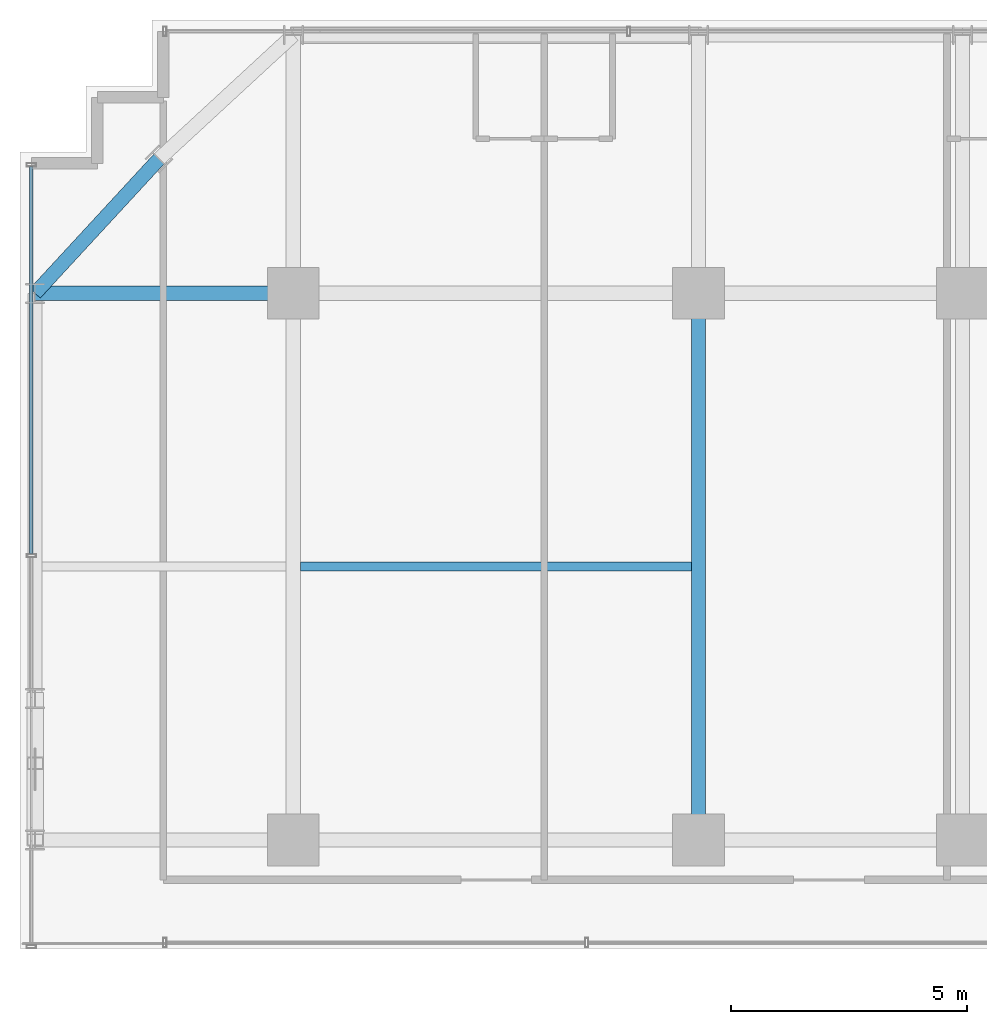
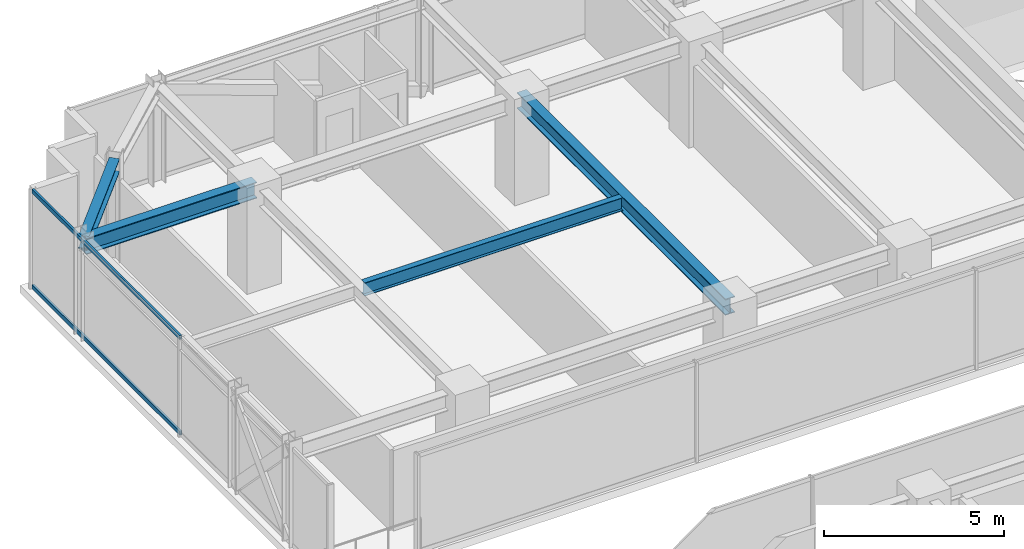
# One storey, part 20 of 38: 4 beams, 2 members, 1 element without a shape of its own.
"""IFC4 building model written with IfcOpenShell, lengths in metres."""

from ifc_helpers import new_model, si_unit, direction, frame, origin, origin_2d, place, context, subcontext, project, spatial, hollow_rectangle, i_section, extrude, source, transform, mapped, material, material_profile, profile_set, type_object, element, aggregate, save


model = new_model("IFC4")

# Units and contexts
model_context = context("Model", 3, precision=1e-05, world=origin(), true_north=direction((0.0, 1.0)))
body_context = subcontext(model_context, "Body", "Model", "MODEL_VIEW")
ifc_project = project(units=[si_unit("LENGTHUNIT", "METRE"), si_unit("AREAUNIT", "SQUARE_METRE"), si_unit("VOLUMEUNIT", "CUBIC_METRE"), si_unit("PLANEANGLEUNIT", "RADIAN"), si_unit("MASSUNIT", "GRAM", prefix="KILO")], contexts=[model_context])

# Site, building, storey
site_placement = place(None, origin())
site = spatial("IfcSite", under=ifc_project, at=site_placement, CompositionType="ELEMENT")
building_placement = place(site_placement, origin())
building = spatial("IfcBuilding", under=site, at=building_placement, Name="Nahalor Promenade Grand Hotel", CompositionType="ELEMENT")
storey_placement = place(building_placement, frame((0.0, 0.0, 178.199951171875)))
storey = spatial("IfcBuildingStorey", under=building, at=storey_placement, Name="L45", CompositionType="ELEMENT", Elevation=178.199951171875)

# Beams
ifc_material_1 = material(Name="Steel S355JR", Category="steel")
ifc_material_profile_1 = material_profile(ifc_material_1, i_section(OverallWidth=0.3, OverallDepth=0.55, WebThickness=0.015, FlangeThickness=0.029, at=origin_2d()), Name="HEB 550")
ifc_profile_set_1 = profile_set([ifc_material_profile_1], Name="Steel S355JR")
beam_type_1 = type_object("IfcBeamType", Name="Beam-Girder-HEB550", PredefinedType="BEAM", material=ifc_profile_set_1)
shared_shape_1 = source(origin(), body_context, "Body", "SweptSolid", [
    extrude(i_section(OverallWidth=0.3, OverallDepth=0.55, WebThickness=0.015, FlangeThickness=0.029, at=origin_2d()), origin(), (0.0, 0.0, 1.0), 11.60009765625),
])
beam_1_placement = place(storey_placement, frame((-8.39990234375, 5.39990234375, 3.114990234375), z_axis=(0.0, 1.0, 0.0), x_axis=(-1.0, 0.0, 0.0)))
element("IfcBeam", 1, at=beam_1_placement, inside=storey, type_object=beam_type_1, Name="BM-L45-GY-1-3", PredefinedType="BEAM", context=body_context, shape_type="MappedRepresentation", body=[
    mapped(shared_shape_1, transform((0.0, 0.0, 0.0), scale=1.0)),
])
ifc_material_profile_2 = material_profile(ifc_material_1, i_section(OverallWidth=0.19, OverallDepth=0.45, WebThickness=0.0094, FlangeThickness=0.0146, at=origin_2d()), Name="IPE 450")
ifc_profile_set_2 = profile_set([ifc_material_profile_2], Name="Steel S355JR")
beam_type_2 = type_object("IfcBeamType", Name="Beam-Joist-IPE450", PredefinedType="JOIST", material=ifc_profile_set_2)
shared_shape_2 = source(origin(), body_context, "Body", "SweptSolid", [
    extrude(i_section(OverallWidth=0.19, OverallDepth=0.45, WebThickness=0.0094, FlangeThickness=0.0146, at=origin_2d()), origin(), (0.0, 0.0, 1.0), 8.300048828125),
])
beam_2_placement = place(storey_placement, frame((-16.85009765625, 11.199951171875, 3.1650390625), z_axis=(1.0, 0.0, 0.0), x_axis=(0.0, 1.0, 0.0)))
element("IfcBeam", 2, at=beam_2_placement, inside=storey, type_object=beam_type_2, Name="BM-L45-JSW-1-1", PredefinedType="JOIST", context=body_context, shape_type="MappedRepresentation", body=[
    mapped(shared_shape_2, transform((0.0, 0.0, 0.0), scale=1.0)),
])
shared_shape_3 = source(origin(), body_context, "Body", "SweptSolid", [
    extrude(i_section(OverallWidth=0.3, OverallDepth=0.55, WebThickness=0.015, FlangeThickness=0.029, at=origin_2d()), origin(), (0.0, 0.0, 1.0), 5.47998046875),
])
beam_3_placement = place(storey_placement, frame((-22.47998046875, 17.0, 3.114990234375), z_axis=(1.0, 0.0, 0.0), x_axis=(0.0, 1.0, 0.0)))
element("IfcBeam", 3, at=beam_3_placement, inside=storey, type_object=beam_type_1, Name="BM-L45-GX-3-0", PredefinedType="BEAM", context=body_context, shape_type="MappedRepresentation", body=[
    mapped(shared_shape_3, transform((0.0, 0.0, 0.0), scale=1.0)),
])
ifc_material_profile_3 = material_profile(ifc_material_1, i_section(OverallWidth=0.3, OverallDepth=0.45, WebThickness=0.014, FlangeThickness=0.026, at=origin_2d()), Name="HEB 450")
ifc_profile_set_3 = profile_set([ifc_material_profile_3], Name="Steel S355JR")
beam_type_3 = type_object("IfcBeamType", Name="Beam-Spandrel-HEB450", PredefinedType="SPANDREL", material=ifc_profile_set_3)
shared_shape_4 = source(origin(), body_context, "Body", "SweptSolid", [
    extrude(i_section(OverallWidth=0.3, OverallDepth=0.45, WebThickness=0.014, FlangeThickness=0.026, at=origin_2d()), origin(), (0.0, 0.0, 1.0), 3.878173828125),
])
beam_4_placement = place(storey_placement, frame((-19.85009765625, 19.85009765625, 3.1650390625), z_axis=(-0.678144125843, -0.73492893846, 0.0), x_axis=(0.73492893846, -0.678144125843, 0.0)))
element("IfcBeam", 4, at=beam_4_placement, inside=storey, type_object=beam_type_3, Name="BM-L45-SPC-NW-2", PredefinedType="SPANDREL", context=body_context, shape_type="MappedRepresentation", body=[
    mapped(shared_shape_4, transform((0.0, 0.0, 0.0), scale=1.0)),
])

# Curtain wall, members
ifc_material_2 = material(Name="Anodised Bronze Aluminium EN AW-6063 T6", Category="aluminium")
curtain_wall_type = type_object("IfcCurtainWallType", Name="CW3 Elliptical-Void Collar Unitised Curtain Wall", PredefinedType="USERDEFINED", material=ifc_material_2)
curtain_wall_placement = place(storey_placement, origin())
curtain_wall = element("IfcCurtainWall", 5, at=curtain_wall_placement, inside=storey, type_object=curtain_wall_type, Name="L45 Curtain Wall CW-L45-W-2", ObjectType="UNITISED_CURTAIN_WALL", PredefinedType="USERDEFINED")
ifc_material_profile_4 = material_profile(ifc_material_2, hollow_rectangle(XDim=0.07, YDim=0.14, WallThickness=0.004, at=origin_2d()), Name="CWT 70x140x4")
ifc_profile_set_4 = profile_set([ifc_material_profile_4], Name="Anodised Bronze Aluminium EN AW-6063 T6")
member_type = type_object("IfcMemberType", Name="CWT3 Void Collar Transom 70x140", PredefinedType="USERDEFINED", material=ifc_profile_set_4)
shared_shape_5 = source(origin(), body_context, "Body", "SweptSolid", [
    extrude(hollow_rectangle(XDim=0.07, YDim=0.14, WallThickness=0.004, at=origin_2d()), origin(), (0.0, 0.0, 1.0), 8.224853515625),
])
member_1_placement = place(storey_placement, frame((-22.56005859375, 11.465087890625, 0.070068359375), z_axis=(0.0, 1.0, 0.0), x_axis=(-1.0, 0.0, 0.0)))
member_1 = element("IfcMember", 6, at=member_1_placement, type_object=member_type, Name="CW-L45-W-2 Transom 1-0", ObjectType="TRANSOM", PredefinedType="USERDEFINED", context=body_context, shape_type="MappedRepresentation", body=[
    mapped(shared_shape_5, transform((0.0, 0.0, 0.0), scale=1.0)),
])
member_2_placement = place(storey_placement, frame((-22.56005859375, 11.465087890625, 3.320068359375), z_axis=(0.0, 1.0, 0.0), x_axis=(-1.0, 0.0, 0.0)))
member_2 = element("IfcMember", 7, at=member_2_placement, type_object=member_type, Name="CW-L45-W-2 Transom 1-1", ObjectType="TRANSOM", PredefinedType="USERDEFINED", context=body_context, shape_type="MappedRepresentation", body=[
    mapped(shared_shape_5, transform((0.0, 0.0, 0.0), scale=1.0)),
])
aggregate(curtain_wall, [member_1, member_2])

save(model, "model.ifc")
